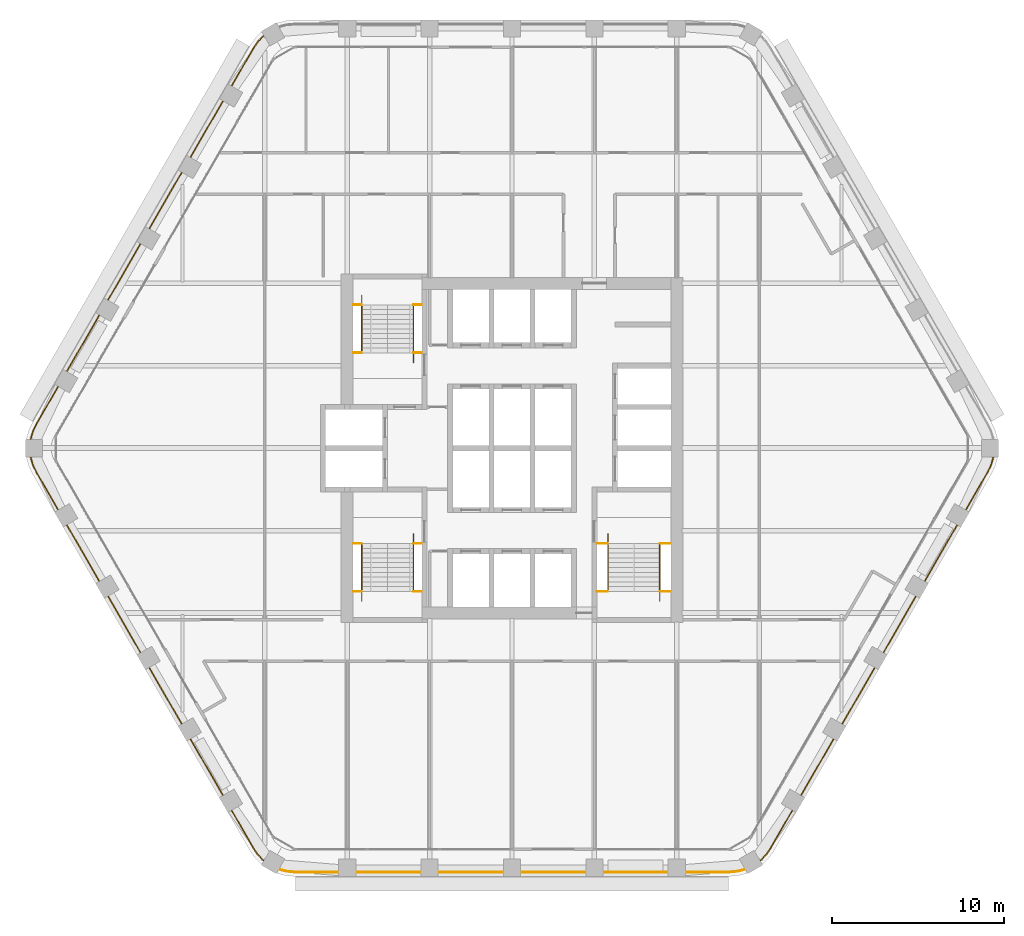
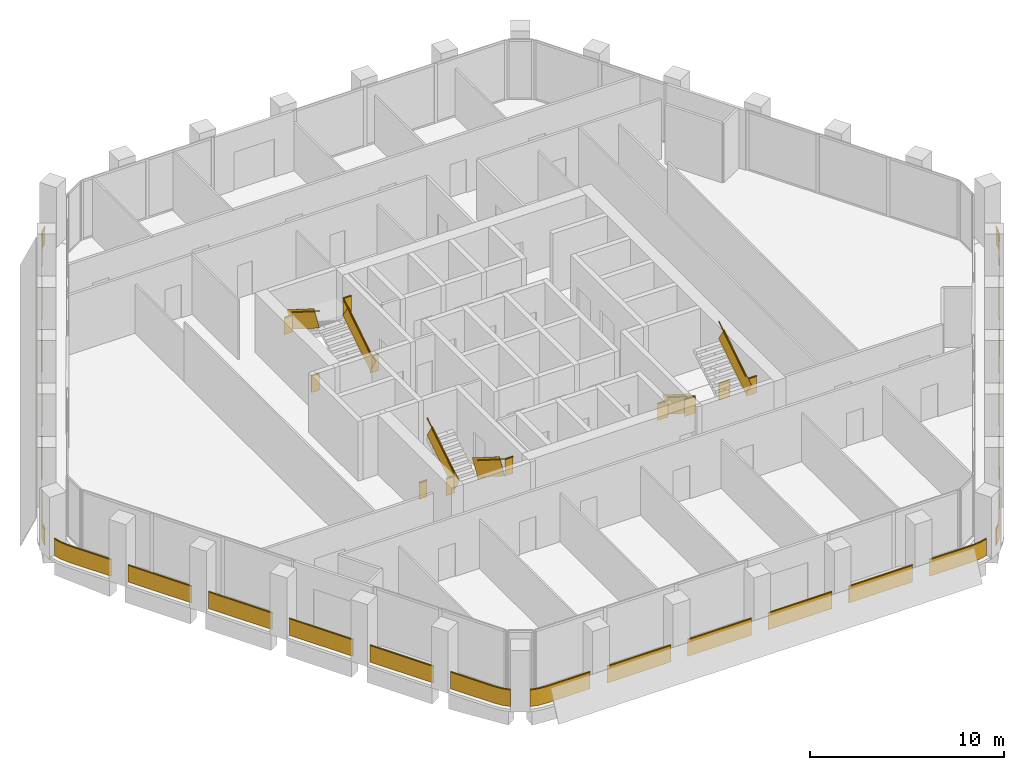
# One storey, part 14 of 15: 10 railings.
"""IFC4 building model written with IfcOpenShell, lengths in metres."""

from ifc_helpers import new_model, si_unit, direction, frame, frame_2d, origin, origin_2d, place, context, subcontext, project, spatial, rectangle, extrude, material, type_object, element, save


model = new_model("IFC4")

# Units and contexts
model_context = context("Model", 3, precision=1e-05, world=origin(), true_north=direction((0.0, 1.0)))
body_context = subcontext(model_context, "Body", "Model", "MODEL_VIEW")
ifc_project = project(units=[si_unit("LENGTHUNIT", "METRE"), si_unit("AREAUNIT", "SQUARE_METRE"), si_unit("VOLUMEUNIT", "CUBIC_METRE"), si_unit("PLANEANGLEUNIT", "RADIAN"), si_unit("MASSUNIT", "GRAM", prefix="KILO")], contexts=[model_context])

# Site, building, storey
site_placement = place(None, origin())
site = spatial("IfcSite", under=ifc_project, at=site_placement, CompositionType="ELEMENT")
building_placement = place(site_placement, origin())
building = spatial("IfcBuilding", under=site, at=building_placement, Name="Kolab Exchange Tower", CompositionType="ELEMENT")
storey_placement = place(building_placement, frame((0.0, 0.0, 189.5)))
storey = spatial("IfcBuildingStorey", under=building, at=storey_placement, Name="L40", CompositionType="ELEMENT", Elevation=189.5)

# Railings
ifc_material_1 = material(Name="Stainless steel 316", Category="steel")
railing_type_1 = type_object("IfcRailingType", Name="GUARD 1100", PredefinedType="GUARDRAIL", material=ifc_material_1)
railing_1_placement = place(storey_placement, frame((-9.25, 5.550048828125, 0.0)))
element("IfcRailing", 1, at=railing_1_placement, inside=storey, type_object=railing_type_1, Name="Guard ST1", PredefinedType="GUARDRAIL", context=body_context, shape_type="SweptSolid", body=[
    extrude(rectangle(XDim=0.05, YDim=0.05, at=origin_2d()), frame((0.0, 0.0, 1.0751953125), z_axis=(1.0, 0.0, 0.0), x_axis=(0.0, 1.0, 0.0)), (0.0, 0.0, 1.0), 0.489990234375),
    extrude(rectangle(XDim=0.012, YDim=1.05009765625, at=frame_2d((0.0, 0.525146484375))), frame((0.0, 0.0, 0.0), z_axis=(1.0, 0.0, 0.0), x_axis=(0.0, 1.0, 0.0)), (0.0, 0.0, 1.0), 0.489990234375),
    extrude(rectangle(XDim=0.05, YDim=0.05, at=origin_2d()), frame((3.510009765625, 0.0, 1.0751953125), z_axis=(1.0, 0.0, 0.0), x_axis=(0.0, 1.0, 0.0)), (0.0, 0.0, 1.0), 0.489990234375),
    extrude(rectangle(XDim=0.012, YDim=1.05009765625, at=frame_2d((0.0, 0.525146484375))), frame((3.510009765625, 0.0, 0.0), z_axis=(1.0, 0.0, 0.0), x_axis=(0.0, 1.0, 0.0)), (0.0, 0.0, 1.0), 0.489990234375),
    extrude(rectangle(XDim=0.05, YDim=0.05, at=origin_2d()), frame((0.0, 2.800048828125, 3.025146484375), z_axis=(1.0, 0.0, 0.0), x_axis=(0.0, 1.0, 0.0)), (0.0, 0.0, 1.0), 0.489990234375),
    extrude(rectangle(XDim=0.012, YDim=1.05009765625, at=frame_2d((0.0, 0.525146484375))), frame((0.0, 2.800048828125, 1.949951171875), z_axis=(1.0, 0.0, 0.0), x_axis=(0.0, 1.0, 0.0)), (0.0, 0.0, 1.0), 0.489990234375),
    extrude(rectangle(XDim=0.05, YDim=0.05, at=origin_2d()), frame((3.510009765625, 2.800048828125, 3.025146484375), z_axis=(1.0, 0.0, 0.0), x_axis=(0.0, 1.0, 0.0)), (0.0, 0.0, 1.0), 0.489990234375),
    extrude(rectangle(XDim=0.012, YDim=1.05009765625, at=frame_2d((0.0, 0.525146484375))), frame((3.510009765625, 2.800048828125, 1.949951171875), z_axis=(1.0, 0.0, 0.0), x_axis=(0.0, 1.0, 0.0)), (0.0, 0.0, 1.0), 0.489990234375),
])
railing_2_placement = place(storey_placement, frame((-5.739990234375, 5.550048828125, 0.17724609375)))
element("IfcRailing", 2, at=railing_2_placement, inside=storey, type_object=railing_type_1, Name="Handrail guard ST1", PredefinedType="GUARDRAIL", context=body_context, shape_type="SweptSolid", body=[
    extrude(rectangle(XDim=0.05, YDim=0.05, at=origin_2d()), frame((0.0, 0.0, 1.0751953125), z_axis=(0.0, 0.844908973607, 0.534910110503), x_axis=(-1.0, 0.0, 0.0)), (0.0, 0.0, 1.0), 3.31396484375),
    extrude(rectangle(XDim=0.012, YDim=1.05009765625, at=frame_2d((0.0, 0.525146484375))), frame((0.0, 0.0, 0.0), z_axis=(0.0, 0.844908973607, 0.534910110503), x_axis=(-1.0, 0.0, 0.0)), (0.0, 0.0, 1.0), 3.31396484375),
    extrude(rectangle(XDim=0.05, YDim=0.05, at=origin_2d()), frame((-3.02001953125, 2.800048828125, 3.025146484375), z_axis=(0.0, -0.844908973607, 0.534910110503), x_axis=(1.0, 0.0, 0.0)), (0.0, 0.0, 1.0), 3.31396484375),
    extrude(rectangle(XDim=0.012, YDim=1.05009765625, at=frame_2d((0.0, 0.525146484375))), frame((-3.02001953125, 2.800048828125, 1.949951171875), z_axis=(0.0, -0.844908973607, 0.534910110503), x_axis=(1.0, 0.0, 0.0)), (0.0, 0.0, 1.0), 3.31396484375),
])
railing_3_placement = place(storey_placement, frame((-9.25, -5.550048828125, 0.0)))
element("IfcRailing", 3, at=railing_3_placement, inside=storey, type_object=railing_type_1, Name="Guard ST3", PredefinedType="GUARDRAIL", context=body_context, shape_type="SweptSolid", body=[
    extrude(rectangle(XDim=0.05, YDim=0.05, at=origin_2d()), frame((0.0, 0.0, 1.0751953125), z_axis=(1.0, 0.0, 0.0), x_axis=(0.0, 1.0, 0.0)), (0.0, 0.0, 1.0), 0.489990234375),
    extrude(rectangle(XDim=0.012, YDim=1.05009765625, at=frame_2d((0.0, 0.525146484375))), frame((0.0, 0.0, 0.0), z_axis=(1.0, 0.0, 0.0), x_axis=(0.0, 1.0, 0.0)), (0.0, 0.0, 1.0), 0.489990234375),
    extrude(rectangle(XDim=0.05, YDim=0.05, at=origin_2d()), frame((3.510009765625, 0.0, 1.0751953125), z_axis=(1.0, 0.0, 0.0), x_axis=(0.0, 1.0, 0.0)), (0.0, 0.0, 1.0), 0.489990234375),
    extrude(rectangle(XDim=0.012, YDim=1.05009765625, at=frame_2d((0.0, 0.525146484375))), frame((3.510009765625, 0.0, 0.0), z_axis=(1.0, 0.0, 0.0), x_axis=(0.0, 1.0, 0.0)), (0.0, 0.0, 1.0), 0.489990234375),
    extrude(rectangle(XDim=0.05, YDim=0.05, at=origin_2d()), frame((0.0, -2.800048828125, 3.025146484375), z_axis=(1.0, 0.0, 0.0), x_axis=(0.0, 1.0, 0.0)), (0.0, 0.0, 1.0), 0.489990234375),
    extrude(rectangle(XDim=0.012, YDim=1.05009765625, at=frame_2d((0.0, 0.525146484375))), frame((0.0, -2.800048828125, 1.949951171875), z_axis=(1.0, 0.0, 0.0), x_axis=(0.0, 1.0, 0.0)), (0.0, 0.0, 1.0), 0.489990234375),
    extrude(rectangle(XDim=0.05, YDim=0.05, at=origin_2d()), frame((3.510009765625, -2.800048828125, 3.025146484375), z_axis=(1.0, 0.0, 0.0), x_axis=(0.0, 1.0, 0.0)), (0.0, 0.0, 1.0), 0.489990234375),
    extrude(rectangle(XDim=0.012, YDim=1.05009765625, at=frame_2d((0.0, 0.525146484375))), frame((3.510009765625, -2.800048828125, 1.949951171875), z_axis=(1.0, 0.0, 0.0), x_axis=(0.0, 1.0, 0.0)), (0.0, 0.0, 1.0), 0.489990234375),
])
railing_4_placement = place(storey_placement, frame((-5.739990234375, -5.550048828125, 0.17724609375)))
element("IfcRailing", 4, at=railing_4_placement, inside=storey, type_object=railing_type_1, Name="Handrail guard ST3", PredefinedType="GUARDRAIL", context=body_context, shape_type="SweptSolid", body=[
    extrude(rectangle(XDim=0.05, YDim=0.05, at=origin_2d()), frame((0.0, 0.0, 1.0751953125), z_axis=(0.0, -0.844908973607, 0.534910110503), x_axis=(1.0, 0.0, 0.0)), (0.0, 0.0, 1.0), 3.31396484375),
    extrude(rectangle(XDim=0.012, YDim=1.05009765625, at=frame_2d((0.0, 0.525146484375))), frame((0.0, 0.0, 0.0), z_axis=(0.0, -0.844908973607, 0.534910110503), x_axis=(1.0, 0.0, 0.0)), (0.0, 0.0, 1.0), 3.31396484375),
    extrude(rectangle(XDim=0.05, YDim=0.05, at=origin_2d()), frame((-3.02001953125, -2.800048828125, 3.025146484375), z_axis=(0.0, 0.844908973607, 0.534910110503), x_axis=(-1.0, 0.0, 0.0)), (0.0, 0.0, 1.0), 3.31396484375),
    extrude(rectangle(XDim=0.012, YDim=1.05009765625, at=frame_2d((0.0, 0.525146484375))), frame((-3.02001953125, -2.800048828125, 1.949951171875), z_axis=(0.0, 0.844908973607, 0.534910110503), x_axis=(-1.0, 0.0, 0.0)), (0.0, 0.0, 1.0), 3.31396484375),
])
railing_5_placement = place(storey_placement, frame((4.949951171875, -5.550048828125, 0.0)))
element("IfcRailing", 5, at=railing_5_placement, inside=storey, type_object=railing_type_1, Name="Guard ST2", PredefinedType="GUARDRAIL", context=body_context, shape_type="SweptSolid", body=[
    extrude(rectangle(XDim=0.05, YDim=0.05, at=origin_2d()), frame((0.0, 0.0, 1.0751953125), z_axis=(1.0, 0.0, 0.0), x_axis=(0.0, 1.0, 0.0)), (0.0, 0.0, 1.0), 0.64013671875),
    extrude(rectangle(XDim=0.012, YDim=1.05009765625, at=frame_2d((0.0, 0.525146484375))), frame((0.0, 0.0, 0.0), z_axis=(1.0, 0.0, 0.0), x_axis=(0.0, 1.0, 0.0)), (0.0, 0.0, 1.0), 0.64013671875),
    extrude(rectangle(XDim=0.05, YDim=0.05, at=origin_2d()), frame((3.66015625, 0.0, 1.0751953125), z_axis=(1.0, 0.0, 0.0), x_axis=(0.0, 1.0, 0.0)), (0.0, 0.0, 1.0), 0.639892578125),
    extrude(rectangle(XDim=0.012, YDim=1.05009765625, at=frame_2d((0.0, 0.525146484375))), frame((3.66015625, 0.0, 0.0), z_axis=(1.0, 0.0, 0.0), x_axis=(0.0, 1.0, 0.0)), (0.0, 0.0, 1.0), 0.639892578125),
    extrude(rectangle(XDim=0.05, YDim=0.05, at=origin_2d()), frame((0.0, -2.800048828125, 3.025146484375), z_axis=(1.0, 0.0, 0.0), x_axis=(0.0, 1.0, 0.0)), (0.0, 0.0, 1.0), 0.64013671875),
    extrude(rectangle(XDim=0.012, YDim=1.05009765625, at=frame_2d((0.0, 0.525146484375))), frame((0.0, -2.800048828125, 1.949951171875), z_axis=(1.0, 0.0, 0.0), x_axis=(0.0, 1.0, 0.0)), (0.0, 0.0, 1.0), 0.64013671875),
    extrude(rectangle(XDim=0.05, YDim=0.05, at=origin_2d()), frame((3.66015625, -2.800048828125, 3.025146484375), z_axis=(1.0, 0.0, 0.0), x_axis=(0.0, 1.0, 0.0)), (0.0, 0.0, 1.0), 0.639892578125),
    extrude(rectangle(XDim=0.012, YDim=1.05009765625, at=frame_2d((0.0, 0.525146484375))), frame((3.66015625, -2.800048828125, 1.949951171875), z_axis=(1.0, 0.0, 0.0), x_axis=(0.0, 1.0, 0.0)), (0.0, 0.0, 1.0), 0.639892578125),
])
railing_6_placement = place(storey_placement, frame((5.590087890625, -5.550048828125, 0.17724609375)))
element("IfcRailing", 6, at=railing_6_placement, inside=storey, type_object=railing_type_1, Name="Handrail guard ST2", PredefinedType="GUARDRAIL", context=body_context, shape_type="SweptSolid", body=[
    extrude(rectangle(XDim=0.05, YDim=0.05, at=origin_2d()), frame((0.0, 0.0, 1.0751953125), z_axis=(0.0, -0.844908973607, 0.534910110503), x_axis=(1.0, 0.0, 0.0)), (0.0, 0.0, 1.0), 3.31396484375),
    extrude(rectangle(XDim=0.012, YDim=1.05009765625, at=frame_2d((0.0, 0.525146484375))), frame((0.0, 0.0, 0.0), z_axis=(0.0, -0.844908973607, 0.534910110503), x_axis=(1.0, 0.0, 0.0)), (0.0, 0.0, 1.0), 3.31396484375),
    extrude(rectangle(XDim=0.05, YDim=0.05, at=origin_2d()), frame((3.02001953125, -2.800048828125, 3.025146484375), z_axis=(0.0, 0.844908973607, 0.534910110503), x_axis=(-1.0, 0.0, 0.0)), (0.0, 0.0, 1.0), 3.31396484375),
    extrude(rectangle(XDim=0.012, YDim=1.05009765625, at=frame_2d((0.0, 0.525146484375))), frame((3.02001953125, -2.800048828125, 1.949951171875), z_axis=(0.0, 0.844908973607, 0.534910110503), x_axis=(-1.0, 0.0, 0.0)), (0.0, 0.0, 1.0), 3.31396484375),
])
ifc_material_2 = material(Name="Steel S235", Category="steel")
railing_type_2 = type_object("IfcRailingType", Name="GUARD 1100 GLASS BALUSTRADE AND STEEL TOP RAIL", PredefinedType="GUARDRAIL", material=ifc_material_2)
railing_7_placement = place(storey_placement, frame((14.4501953125, -24.033447265625, 0.0)))
element("IfcRailing", 7, at=railing_7_placement, inside=storey, type_object=railing_type_2, Name="Guard", PredefinedType="GUARDRAIL", context=body_context, shape_type="SweptSolid", body=[
    extrude(rectangle(XDim=0.05, YDim=0.05, at=origin_2d()), frame((0.0, 0.0, 1.0751953125), z_axis=(0.70737286085, 0.706840601361, 0.0), x_axis=(-0.706840601361, 0.70737286085, 0.0)), (0.0, 0.0, 1.0), 0.458740234375),
    extrude(rectangle(XDim=0.012, YDim=1.05009765625, at=frame_2d((0.0, 0.525146484375))), frame((0.0, 0.0, 0.0), z_axis=(0.70737286085, 0.706840601361, 0.0), x_axis=(-0.706840601361, 0.70737286085, 0.0)), (0.0, 0.0, 1.0), 0.458740234375),
    extrude(rectangle(XDim=0.05, YDim=0.05, at=origin_2d()), frame((0.324462890625, 0.32421875, 1.0751953125), z_axis=(0.573599091554, 0.819136180478, 0.0), x_axis=(-0.819136180478, 0.573599091554, 0.0)), (0.0, 0.0, 1.0), 0.479248046875),
    extrude(rectangle(XDim=0.012, YDim=1.05009765625, at=frame_2d((0.0, 0.525146484375))), frame((0.324462890625, 0.32421875, 0.0), z_axis=(0.573599091554, 0.819136180478, 0.0), x_axis=(-0.819136180478, 0.573599091554, 0.0)), (0.0, 0.0, 1.0), 0.479248046875),
    extrude(rectangle(XDim=0.05, YDim=0.05, at=origin_2d()), frame((0.599365234375, 0.716796875, 1.0751953125), z_axis=(0.499952873616, 0.866052610505, 0.0), x_axis=(-0.866052610505, 0.499952873616, 0.0)), (0.0, 0.0, 1.0), 2.568115234375),
    extrude(rectangle(XDim=0.012, YDim=1.05009765625, at=frame_2d((0.0, 0.525146484375))), frame((0.599365234375, 0.716796875, 0.0), z_axis=(0.499952873616, 0.866052610505, 0.0), x_axis=(-0.866052610505, 0.499952873616, 0.0)), (0.0, 0.0, 1.0), 2.568115234375),
    extrude(rectangle(XDim=0.05, YDim=0.05, at=origin_2d()), frame((2.38330078125, 3.806884765625, 1.0751953125), z_axis=(0.499994975061, 0.866028304915, 0.0), x_axis=(-0.866028304915, 0.499994975061, 0.0)), (0.0, 0.0, 1.0), 3.7998046875),
    extrude(rectangle(XDim=0.012, YDim=1.05009765625, at=frame_2d((0.0, 0.525146484375))), frame((2.38330078125, 3.806884765625, 0.0), z_axis=(0.499994975061, 0.866028304915, 0.0), x_axis=(-0.866028304915, 0.499994975061, 0.0)), (0.0, 0.0, 1.0), 3.7998046875),
    extrude(rectangle(XDim=0.05, YDim=0.05, at=origin_2d()), frame((4.783203125, 7.9638671875, 1.0751953125), z_axis=(0.500043160704, 0.866000483506, 0.0), x_axis=(-0.866000483506, 0.500043160704, 0.0)), (0.0, 0.0, 1.0), 3.800048828125),
    extrude(rectangle(XDim=0.012, YDim=1.05009765625, at=frame_2d((0.0, 0.525146484375))), frame((4.783203125, 7.9638671875, 0.0), z_axis=(0.500043160704, 0.866000483506, 0.0), x_axis=(-0.866000483506, 0.500043160704, 0.0)), (0.0, 0.0, 1.0), 3.800048828125),
    extrude(rectangle(XDim=0.05, YDim=0.05, at=origin_2d()), frame((7.183349609375, 12.12060546875, 1.0751953125), z_axis=(0.499967155389, 0.866044365799, 0.0), x_axis=(-0.866044365799, 0.499967155389, 0.0)), (0.0, 0.0, 1.0), 3.800048828125),
    extrude(rectangle(XDim=0.012, YDim=1.05009765625, at=frame_2d((0.0, 0.525146484375))), frame((7.183349609375, 12.12060546875, 0.0), z_axis=(0.499967155389, 0.866044365799, 0.0), x_axis=(-0.866044365799, 0.499967155389, 0.0)), (0.0, 0.0, 1.0), 3.800048828125),
    extrude(rectangle(XDim=0.05, YDim=0.05, at=origin_2d()), frame((9.583251953125, 16.277587890625, 1.0751953125), z_axis=(0.500015340139, 0.86601654697, 0.0), x_axis=(-0.86601654697, 0.500015340139, 0.0)), (0.0, 0.0, 1.0), 3.80029296875),
    extrude(rectangle(XDim=0.012, YDim=1.05009765625, at=frame_2d((0.0, 0.525146484375))), frame((9.583251953125, 16.277587890625, 0.0), z_axis=(0.500015340139, 0.86601654697, 0.0), x_axis=(-0.86601654697, 0.500015340139, 0.0)), (0.0, 0.0, 1.0), 3.80029296875),
    extrude(rectangle(XDim=0.05, YDim=0.05, at=origin_2d()), frame((11.9833984375, 20.4345703125, 1.0751953125), z_axis=(0.499994038704, 0.866028845513, 0.0), x_axis=(-0.866028845513, 0.499994038704, 0.0)), (0.0, 0.0, 1.0), 2.56787109375),
    extrude(rectangle(XDim=0.012, YDim=1.05009765625, at=frame_2d((0.0, 0.525146484375))), frame((11.9833984375, 20.4345703125, 0.0), z_axis=(0.499994038704, 0.866028845513, 0.0), x_axis=(-0.866028845513, 0.499994038704, 0.0)), (0.0, 0.0, 1.0), 2.56787109375),
    extrude(rectangle(XDim=0.05, YDim=0.05, at=origin_2d()), frame((13.267333984375, 22.658447265625, 1.0751953125), z_axis=(0.422801802984, 0.906222177721, 0.0), x_axis=(-0.906222177721, 0.422801802984, 0.0)), (0.0, 0.0, 1.0), 0.479248046875),
    extrude(rectangle(XDim=0.012, YDim=1.05009765625, at=frame_2d((0.0, 0.525146484375))), frame((13.267333984375, 22.658447265625, 0.0), z_axis=(0.422801802984, 0.906222177721, 0.0), x_axis=(-0.906222177721, 0.422801802984, 0.0)), (0.0, 0.0, 1.0), 0.479248046875),
    extrude(rectangle(XDim=0.05, YDim=0.05, at=origin_2d()), frame((13.469970703125, 23.0927734375, 1.0751953125), z_axis=(0.25865627591, 0.965969425465, 0.0), x_axis=(-0.965969425465, 0.25865627591, 0.0)), (0.0, 0.0, 1.0), 0.458740234375),
    extrude(rectangle(XDim=0.012, YDim=1.05009765625, at=frame_2d((0.0, 0.525146484375))), frame((13.469970703125, 23.0927734375, 0.0), z_axis=(0.25865627591, 0.965969425465, 0.0), x_axis=(-0.965969425465, 0.25865627591, 0.0)), (0.0, 0.0, 1.0), 0.458740234375),
])
railing_8_placement = place(storey_placement, frame((-13.588623046875, -24.531005859375, 0.0)))
element("IfcRailing", 8, at=railing_8_placement, inside=storey, type_object=railing_type_2, Name="Guard", PredefinedType="GUARDRAIL", context=body_context, shape_type="SweptSolid", body=[
    extrude(rectangle(XDim=0.05, YDim=0.05, at=origin_2d()), frame((0.0, 0.0, 1.0751953125), z_axis=(0.965969425465, -0.25865627591, 0.0), x_axis=(0.25865627591, 0.965969425465, 0.0)), (0.0, 0.0, 1.0), 0.458740234375),
    extrude(rectangle(XDim=0.012, YDim=1.05009765625, at=frame_2d((0.0, 0.525146484375))), frame((0.0, 0.0, 0.0), z_axis=(0.965969425465, -0.25865627591, 0.0), x_axis=(0.25865627591, 0.965969425465, 0.0)), (0.0, 0.0, 1.0), 0.458740234375),
    extrude(rectangle(XDim=0.05, YDim=0.05, at=origin_2d()), frame((0.443115234375, -0.11865234375, 1.0751953125), z_axis=(0.996156034798, -0.087596542937, 0.0), x_axis=(0.087596542937, 0.996156034798, 0.0)), (0.0, 0.0, 1.0), 0.4794921875),
    extrude(rectangle(XDim=0.012, YDim=1.05009765625, at=frame_2d((0.0, 0.525146484375))), frame((0.443115234375, -0.11865234375, 0.0), z_axis=(0.996156034798, -0.087596542937, 0.0), x_axis=(0.087596542937, 0.996156034798, 0.0)), (0.0, 0.0, 1.0), 0.4794921875),
    extrude(rectangle(XDim=0.05, YDim=0.05, at=origin_2d()), frame((0.920654296875, -0.16064453125, 1.0751953125), z_axis=(1.0, 0.0, 0.0), x_axis=(0.0, 1.0, 0.0)), (0.0, 0.0, 1.0), 2.56787109375),
    extrude(rectangle(XDim=0.012, YDim=1.05009765625, at=frame_2d((0.0, 0.525146484375))), frame((0.920654296875, -0.16064453125, 0.0), z_axis=(1.0, 0.0, 0.0), x_axis=(0.0, 1.0, 0.0)), (0.0, 0.0, 1.0), 2.56787109375),
    extrude(rectangle(XDim=0.05, YDim=0.05, at=origin_2d()), frame((4.488525390625, -0.16064453125, 1.0751953125), z_axis=(1.0, 0.0, 0.0), x_axis=(0.0, 1.0, 0.0)), (0.0, 0.0, 1.0), 3.800048828125),
    extrude(rectangle(XDim=0.012, YDim=1.05009765625, at=frame_2d((0.0, 0.525146484375))), frame((4.488525390625, -0.16064453125, 0.0), z_axis=(1.0, 0.0, 0.0), x_axis=(0.0, 1.0, 0.0)), (0.0, 0.0, 1.0), 3.800048828125),
    extrude(rectangle(XDim=0.05, YDim=0.05, at=origin_2d()), frame((9.28857421875, -0.16064453125, 1.0751953125), z_axis=(1.0, 0.0, 0.0), x_axis=(0.0, 1.0, 0.0)), (0.0, 0.0, 1.0), 3.800048828125),
    extrude(rectangle(XDim=0.012, YDim=1.05009765625, at=frame_2d((0.0, 0.525146484375))), frame((9.28857421875, -0.16064453125, 0.0), z_axis=(1.0, 0.0, 0.0), x_axis=(0.0, 1.0, 0.0)), (0.0, 0.0, 1.0), 3.800048828125),
    extrude(rectangle(XDim=0.05, YDim=0.05, at=origin_2d()), frame((14.088623046875, -0.16064453125, 1.0751953125), z_axis=(1.0, 0.0, 0.0), x_axis=(0.0, 1.0, 0.0)), (0.0, 0.0, 1.0), 3.800048828125),
    extrude(rectangle(XDim=0.012, YDim=1.05009765625, at=frame_2d((0.0, 0.525146484375))), frame((14.088623046875, -0.16064453125, 0.0), z_axis=(1.0, 0.0, 0.0), x_axis=(0.0, 1.0, 0.0)), (0.0, 0.0, 1.0), 3.800048828125),
    extrude(rectangle(XDim=0.05, YDim=0.05, at=origin_2d()), frame((18.888671875, -0.16064453125, 1.0751953125), z_axis=(1.0, 0.0, 0.0), x_axis=(0.0, 1.0, 0.0)), (0.0, 0.0, 1.0), 3.800048828125),
    extrude(rectangle(XDim=0.012, YDim=1.05009765625, at=frame_2d((0.0, 0.525146484375))), frame((18.888671875, -0.16064453125, 0.0), z_axis=(1.0, 0.0, 0.0), x_axis=(0.0, 1.0, 0.0)), (0.0, 0.0, 1.0), 3.800048828125),
    extrude(rectangle(XDim=0.05, YDim=0.05, at=origin_2d()), frame((23.688720703125, -0.16064453125, 1.0751953125), z_axis=(1.0, 0.0, 0.0), x_axis=(0.0, 1.0, 0.0)), (0.0, 0.0, 1.0), 2.56787109375),
    extrude(rectangle(XDim=0.012, YDim=1.05009765625, at=frame_2d((0.0, 0.525146484375))), frame((23.688720703125, -0.16064453125, 0.0), z_axis=(1.0, 0.0, 0.0), x_axis=(0.0, 1.0, 0.0)), (0.0, 0.0, 1.0), 2.56787109375),
    extrude(rectangle(XDim=0.05, YDim=0.05, at=origin_2d()), frame((26.256591796875, -0.16064453125, 1.0751953125), z_axis=(0.996156034798, 0.087596542937, 0.0), x_axis=(-0.087596542937, 0.996156034798, 0.0)), (0.0, 0.0, 1.0), 0.4794921875),
    extrude(rectangle(XDim=0.012, YDim=1.05009765625, at=frame_2d((0.0, 0.525146484375))), frame((26.256591796875, -0.16064453125, 0.0), z_axis=(0.996156034798, 0.087596542937, 0.0), x_axis=(-0.087596542937, 0.996156034798, 0.0)), (0.0, 0.0, 1.0), 0.4794921875),
    extrude(rectangle(XDim=0.05, YDim=0.05, at=origin_2d()), frame((26.734130859375, -0.11865234375, 1.0751953125), z_axis=(0.965969425465, 0.25865627591, 0.0), x_axis=(-0.25865627591, 0.965969425465, 0.0)), (0.0, 0.0, 1.0), 0.458740234375),
    extrude(rectangle(XDim=0.012, YDim=1.05009765625, at=frame_2d((0.0, 0.525146484375))), frame((26.734130859375, -0.11865234375, 0.0), z_axis=(0.965969425465, 0.25865627591, 0.0), x_axis=(-0.25865627591, 0.965969425465, 0.0)), (0.0, 0.0, 1.0), 0.458740234375),
])
railing_9_placement = place(storey_placement, frame((-28.038818359375, -0.49755859375, 0.0)))
element("IfcRailing", 9, at=railing_9_placement, inside=storey, type_object=railing_type_2, Name="Guard", PredefinedType="GUARDRAIL", context=body_context, shape_type="SweptSolid", body=[
    extrude(rectangle(XDim=0.05, YDim=0.05, at=origin_2d()), frame((0.0, 0.0, 1.0751953125), z_axis=(0.25865627591, -0.965969425465, 0.0), x_axis=(0.965969425465, 0.25865627591, 0.0)), (0.0, 0.0, 1.0), 0.458740234375),
    extrude(rectangle(XDim=0.012, YDim=1.05009765625, at=frame_2d((0.0, 0.525146484375))), frame((0.0, 0.0, 0.0), z_axis=(0.25865627591, -0.965969425465, 0.0), x_axis=(0.965969425465, 0.25865627591, 0.0)), (0.0, 0.0, 1.0), 0.458740234375),
    extrude(rectangle(XDim=0.05, YDim=0.05, at=origin_2d()), frame((0.11865234375, -0.443115234375, 1.0751953125), z_axis=(0.422801802984, -0.906222177721, 0.0), x_axis=(0.906222177721, 0.422801802984, 0.0)), (0.0, 0.0, 1.0), 0.479248046875),
    extrude(rectangle(XDim=0.012, YDim=1.05009765625, at=frame_2d((0.0, 0.525146484375))), frame((0.11865234375, -0.443115234375, 0.0), z_axis=(0.422801802984, -0.906222177721, 0.0), x_axis=(0.906222177721, 0.422801802984, 0.0)), (0.0, 0.0, 1.0), 0.479248046875),
    extrude(rectangle(XDim=0.05, YDim=0.05, at=origin_2d()), frame((0.3212890625, -0.87744140625, 1.0751953125), z_axis=(0.499994038704, -0.866028845513, 0.0), x_axis=(0.866028845513, 0.499994038704, 0.0)), (0.0, 0.0, 1.0), 2.56787109375),
    extrude(rectangle(XDim=0.012, YDim=1.05009765625, at=frame_2d((0.0, 0.525146484375))), frame((0.3212890625, -0.87744140625, 0.0), z_axis=(0.499994038704, -0.866028845513, 0.0), x_axis=(0.866028845513, 0.499994038704, 0.0)), (0.0, 0.0, 1.0), 2.56787109375),
    extrude(rectangle(XDim=0.05, YDim=0.05, at=origin_2d()), frame((2.105224609375, -3.96728515625, 1.0751953125), z_axis=(0.500015340139, -0.86601654697, 0.0), x_axis=(0.86601654697, 0.500015340139, 0.0)), (0.0, 0.0, 1.0), 3.80029296875),
    extrude(rectangle(XDim=0.012, YDim=1.05009765625, at=frame_2d((0.0, 0.525146484375))), frame((2.105224609375, -3.96728515625, 0.0), z_axis=(0.500015340139, -0.86601654697, 0.0), x_axis=(0.86601654697, 0.500015340139, 0.0)), (0.0, 0.0, 1.0), 3.80029296875),
    extrude(rectangle(XDim=0.05, YDim=0.05, at=origin_2d()), frame((4.50537109375, -8.124267578125, 1.0751953125), z_axis=(0.499967155389, -0.866044365799, 0.0), x_axis=(0.866044365799, 0.499967155389, 0.0)), (0.0, 0.0, 1.0), 3.800048828125),
    extrude(rectangle(XDim=0.012, YDim=1.05009765625, at=frame_2d((0.0, 0.525146484375))), frame((4.50537109375, -8.124267578125, 0.0), z_axis=(0.499967155389, -0.866044365799, 0.0), x_axis=(0.866044365799, 0.499967155389, 0.0)), (0.0, 0.0, 1.0), 3.800048828125),
    extrude(rectangle(XDim=0.05, YDim=0.05, at=origin_2d()), frame((6.9052734375, -12.28125, 1.0751953125), z_axis=(0.500043160704, -0.866000483506, 0.0), x_axis=(0.866000483506, 0.500043160704, 0.0)), (0.0, 0.0, 1.0), 3.800048828125),
    extrude(rectangle(XDim=0.012, YDim=1.05009765625, at=frame_2d((0.0, 0.525146484375))), frame((6.9052734375, -12.28125, 0.0), z_axis=(0.500043160704, -0.866000483506, 0.0), x_axis=(0.866000483506, 0.500043160704, 0.0)), (0.0, 0.0, 1.0), 3.800048828125),
    extrude(rectangle(XDim=0.05, YDim=0.05, at=origin_2d()), frame((9.305419921875, -16.438232421875, 1.0751953125), z_axis=(0.499994975061, -0.866028304915, 0.0), x_axis=(0.866028304915, 0.499994975061, 0.0)), (0.0, 0.0, 1.0), 3.7998046875),
    extrude(rectangle(XDim=0.012, YDim=1.05009765625, at=frame_2d((0.0, 0.525146484375))), frame((9.305419921875, -16.438232421875, 0.0), z_axis=(0.499994975061, -0.866028304915, 0.0), x_axis=(0.866028304915, 0.499994975061, 0.0)), (0.0, 0.0, 1.0), 3.7998046875),
    extrude(rectangle(XDim=0.05, YDim=0.05, at=origin_2d()), frame((11.705322265625, -20.594970703125, 1.0751953125), z_axis=(0.499952873616, -0.866052610505, 0.0), x_axis=(0.866052610505, 0.499952873616, 0.0)), (0.0, 0.0, 1.0), 2.568115234375),
    extrude(rectangle(XDim=0.012, YDim=1.05009765625, at=frame_2d((0.0, 0.525146484375))), frame((11.705322265625, -20.594970703125, 0.0), z_axis=(0.499952873616, -0.866052610505, 0.0), x_axis=(0.866052610505, 0.499952873616, 0.0)), (0.0, 0.0, 1.0), 2.568115234375),
    extrude(rectangle(XDim=0.05, YDim=0.05, at=origin_2d()), frame((12.9892578125, -22.819091796875, 1.0751953125), z_axis=(0.573599091554, -0.819136180478, 0.0), x_axis=(0.819136180478, 0.573599091554, 0.0)), (0.0, 0.0, 1.0), 0.479248046875),
    extrude(rectangle(XDim=0.012, YDim=1.05009765625, at=frame_2d((0.0, 0.525146484375))), frame((12.9892578125, -22.819091796875, 0.0), z_axis=(0.573599091554, -0.819136180478, 0.0), x_axis=(0.819136180478, 0.573599091554, 0.0)), (0.0, 0.0, 1.0), 0.479248046875),
    extrude(rectangle(XDim=0.05, YDim=0.05, at=origin_2d()), frame((13.26416015625, -23.211669921875, 1.0751953125), z_axis=(0.70737286085, -0.706840601361, 0.0), x_axis=(0.706840601361, 0.70737286085, 0.0)), (0.0, 0.0, 1.0), 0.458740234375),
    extrude(rectangle(XDim=0.012, YDim=1.05009765625, at=frame_2d((0.0, 0.525146484375))), frame((13.26416015625, -23.211669921875, 0.0), z_axis=(0.70737286085, -0.706840601361, 0.0), x_axis=(0.706840601361, 0.70737286085, 0.0)), (0.0, 0.0, 1.0), 0.458740234375),
])
railing_10_placement = place(storey_placement, frame((-14.4501953125, 24.033447265625, 0.0)))
element("IfcRailing", 10, at=railing_10_placement, inside=storey, type_object=railing_type_2, Name="Guard", PredefinedType="GUARDRAIL", context=body_context, shape_type="SweptSolid", body=[
    extrude(rectangle(XDim=0.05, YDim=0.05, at=origin_2d()), frame((0.0, 0.0, 1.0751953125), z_axis=(-0.70737286085, -0.706840601361, 0.0), x_axis=(0.706840601361, -0.70737286085, 0.0)), (0.0, 0.0, 1.0), 0.458740234375),
    extrude(rectangle(XDim=0.012, YDim=1.05009765625, at=frame_2d((0.0, 0.525146484375))), frame((0.0, 0.0, 0.0), z_axis=(-0.70737286085, -0.706840601361, 0.0), x_axis=(0.706840601361, -0.70737286085, 0.0)), (0.0, 0.0, 1.0), 0.458740234375),
    extrude(rectangle(XDim=0.05, YDim=0.05, at=origin_2d()), frame((-0.324462890625, -0.32421875, 1.0751953125), z_axis=(-0.573599091554, -0.819136180478, 0.0), x_axis=(0.819136180478, -0.573599091554, 0.0)), (0.0, 0.0, 1.0), 0.479248046875),
    extrude(rectangle(XDim=0.012, YDim=1.05009765625, at=frame_2d((0.0, 0.525146484375))), frame((-0.324462890625, -0.32421875, 0.0), z_axis=(-0.573599091554, -0.819136180478, 0.0), x_axis=(0.819136180478, -0.573599091554, 0.0)), (0.0, 0.0, 1.0), 0.479248046875),
    extrude(rectangle(XDim=0.05, YDim=0.05, at=origin_2d()), frame((-0.599365234375, -0.716796875, 1.0751953125), z_axis=(-0.499952873616, -0.866052610505, 0.0), x_axis=(0.866052610505, -0.499952873616, 0.0)), (0.0, 0.0, 1.0), 2.568115234375),
    extrude(rectangle(XDim=0.012, YDim=1.05009765625, at=frame_2d((0.0, 0.525146484375))), frame((-0.599365234375, -0.716796875, 0.0), z_axis=(-0.499952873616, -0.866052610505, 0.0), x_axis=(0.866052610505, -0.499952873616, 0.0)), (0.0, 0.0, 1.0), 2.568115234375),
    extrude(rectangle(XDim=0.05, YDim=0.05, at=origin_2d()), frame((-2.38330078125, -3.806884765625, 1.0751953125), z_axis=(-0.499994975061, -0.866028304915, 0.0), x_axis=(0.866028304915, -0.499994975061, 0.0)), (0.0, 0.0, 1.0), 3.7998046875),
    extrude(rectangle(XDim=0.012, YDim=1.05009765625, at=frame_2d((0.0, 0.525146484375))), frame((-2.38330078125, -3.806884765625, 0.0), z_axis=(-0.499994975061, -0.866028304915, 0.0), x_axis=(0.866028304915, -0.499994975061, 0.0)), (0.0, 0.0, 1.0), 3.7998046875),
    extrude(rectangle(XDim=0.05, YDim=0.05, at=origin_2d()), frame((-4.783203125, -7.9638671875, 1.0751953125), z_axis=(-0.500043160704, -0.866000483506, 0.0), x_axis=(0.866000483506, -0.500043160704, 0.0)), (0.0, 0.0, 1.0), 3.800048828125),
    extrude(rectangle(XDim=0.012, YDim=1.05009765625, at=frame_2d((0.0, 0.525146484375))), frame((-4.783203125, -7.9638671875, 0.0), z_axis=(-0.500043160704, -0.866000483506, 0.0), x_axis=(0.866000483506, -0.500043160704, 0.0)), (0.0, 0.0, 1.0), 3.800048828125),
    extrude(rectangle(XDim=0.05, YDim=0.05, at=origin_2d()), frame((-7.183349609375, -12.12060546875, 1.0751953125), z_axis=(-0.499967155389, -0.866044365799, 0.0), x_axis=(0.866044365799, -0.499967155389, 0.0)), (0.0, 0.0, 1.0), 3.800048828125),
    extrude(rectangle(XDim=0.012, YDim=1.05009765625, at=frame_2d((0.0, 0.525146484375))), frame((-7.183349609375, -12.12060546875, 0.0), z_axis=(-0.499967155389, -0.866044365799, 0.0), x_axis=(0.866044365799, -0.499967155389, 0.0)), (0.0, 0.0, 1.0), 3.800048828125),
    extrude(rectangle(XDim=0.05, YDim=0.05, at=origin_2d()), frame((-9.583251953125, -16.277587890625, 1.0751953125), z_axis=(-0.500015340139, -0.86601654697, 0.0), x_axis=(0.86601654697, -0.500015340139, 0.0)), (0.0, 0.0, 1.0), 3.80029296875),
    extrude(rectangle(XDim=0.012, YDim=1.05009765625, at=frame_2d((0.0, 0.525146484375))), frame((-9.583251953125, -16.277587890625, 0.0), z_axis=(-0.500015340139, -0.86601654697, 0.0), x_axis=(0.86601654697, -0.500015340139, 0.0)), (0.0, 0.0, 1.0), 3.80029296875),
    extrude(rectangle(XDim=0.05, YDim=0.05, at=origin_2d()), frame((-11.9833984375, -20.4345703125, 1.0751953125), z_axis=(-0.499994038704, -0.866028845513, 0.0), x_axis=(0.866028845513, -0.499994038704, 0.0)), (0.0, 0.0, 1.0), 2.56787109375),
    extrude(rectangle(XDim=0.012, YDim=1.05009765625, at=frame_2d((0.0, 0.525146484375))), frame((-11.9833984375, -20.4345703125, 0.0), z_axis=(-0.499994038704, -0.866028845513, 0.0), x_axis=(0.866028845513, -0.499994038704, 0.0)), (0.0, 0.0, 1.0), 2.56787109375),
    extrude(rectangle(XDim=0.05, YDim=0.05, at=origin_2d()), frame((-13.267333984375, -22.658447265625, 1.0751953125), z_axis=(-0.422801802984, -0.906222177721, 0.0), x_axis=(0.906222177721, -0.422801802984, 0.0)), (0.0, 0.0, 1.0), 0.479248046875),
    extrude(rectangle(XDim=0.012, YDim=1.05009765625, at=frame_2d((0.0, 0.525146484375))), frame((-13.267333984375, -22.658447265625, 0.0), z_axis=(-0.422801802984, -0.906222177721, 0.0), x_axis=(0.906222177721, -0.422801802984, 0.0)), (0.0, 0.0, 1.0), 0.479248046875),
    extrude(rectangle(XDim=0.05, YDim=0.05, at=origin_2d()), frame((-13.469970703125, -23.0927734375, 1.0751953125), z_axis=(-0.25865627591, -0.965969425465, 0.0), x_axis=(0.965969425465, -0.25865627591, 0.0)), (0.0, 0.0, 1.0), 0.458740234375),
    extrude(rectangle(XDim=0.012, YDim=1.05009765625, at=frame_2d((0.0, 0.525146484375))), frame((-13.469970703125, -23.0927734375, 0.0), z_axis=(-0.25865627591, -0.965969425465, 0.0), x_axis=(0.965969425465, -0.25865627591, 0.0)), (0.0, 0.0, 1.0), 0.458740234375),
])

save(model, "model.ifc")
